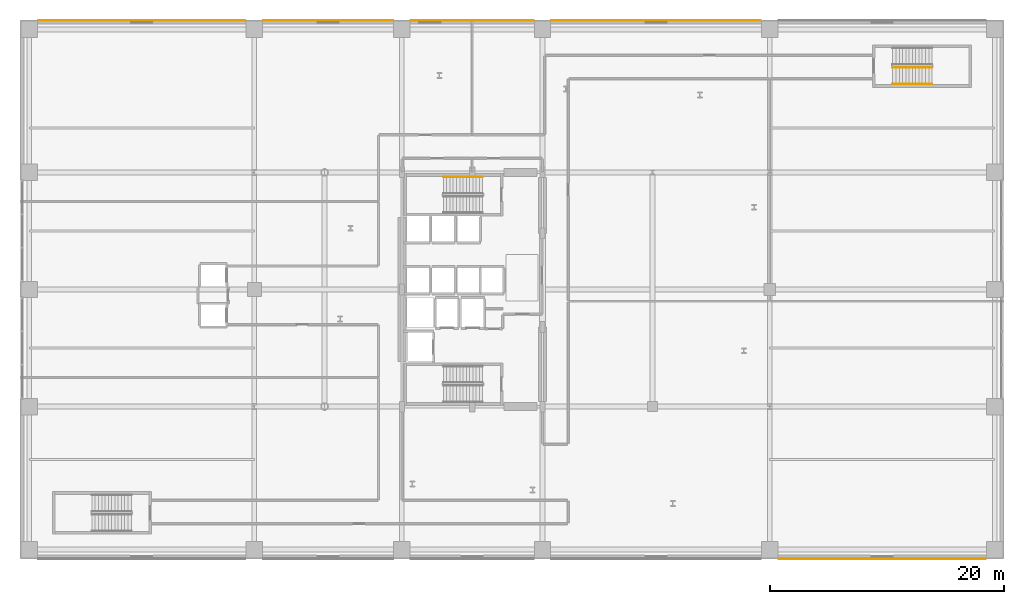
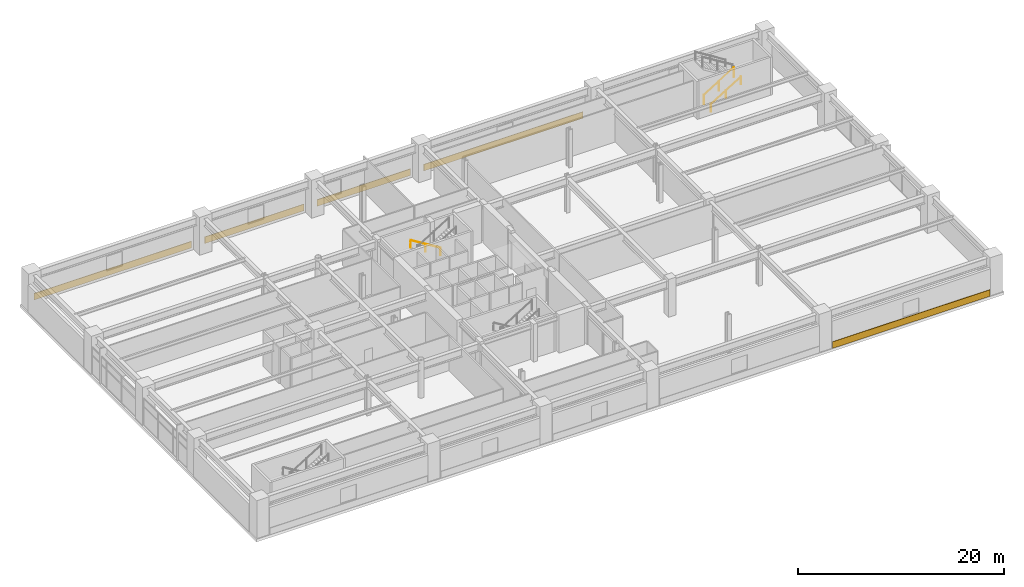
# One storey, part 27 of 28: 5 coverings, 3 railings.
"""IFC4 building model written with IfcOpenShell, lengths in metres."""

from ifc_helpers import new_model, si_unit, direction, frame, origin, origin_2d, place, context, subcontext, project, spatial, rectangle, circle, extrude, material, layer, layer_set, type_object, element, save


model = new_model("IFC4")

# Units and contexts
model_context = context("Model", 3, precision=1e-05, world=origin(), true_north=direction((0.0, 1.0)))
body_context = subcontext(model_context, "Body", "Model", "MODEL_VIEW")
ifc_project = project(units=[si_unit("LENGTHUNIT", "METRE"), si_unit("AREAUNIT", "SQUARE_METRE"), si_unit("VOLUMEUNIT", "CUBIC_METRE"), si_unit("PLANEANGLEUNIT", "RADIAN"), si_unit("MASSUNIT", "GRAM", prefix="KILO")], contexts=[model_context])

# Site, building, storey
site_placement = place(None, origin())
site = spatial("IfcSite", under=ifc_project, at=site_placement, CompositionType="ELEMENT")
building_placement = place(site_placement, origin())
building = spatial("IfcBuilding", under=site, at=building_placement, Name="Soratama Intermodal Tower", CompositionType="ELEMENT")
storey_placement = place(building_placement, frame((0.0, 0.0, 20.699951171875)))
storey = spatial("IfcBuildingStorey", under=building, at=storey_placement, Name="L04", CompositionType="ELEMENT", Elevation=20.699951171875)

# Coverings
ifc_material_1 = material(Name="Honed Andean limestone cladding", Category="masonry")
ifc_layer = layer(ifc_material_1, 0.06005859375)
ifc_layer_set = layer_set([ifc_layer], Name="Honed Andean limestone cladding")
covering_type = type_object("IfcCoveringType", Name="CV-STONE-CLAD", PredefinedType="CLADDING", material=ifc_layer_set)
covering_1_placement = place(storey_placement, frame((10.39990234375, 47.97607421875, 0.0302734375), z_axis=(0.0, 0.0, 1.0), x_axis=(1.0, 0.0, 0.0)))
element("IfcCovering", 1, at=covering_1_placement, inside=storey, type_object=covering_type, Name="L04 N Cladding B1", PredefinedType="CLADDING", context=body_context, shape_type="SweptSolid", body=[
    extrude(rectangle(XDim=17.699951171875, YDim=0.06005859375, at=origin_2d()), origin(), (0.0, 0.0, 1.0), 0.780029296875),
])
covering_2_placement = place(storey_placement, frame((26.300048828125, 47.97607421875, 0.0302734375), z_axis=(0.0, 0.0, 1.0), x_axis=(1.0, 0.0, 0.0)))
element("IfcCovering", 2, at=covering_2_placement, inside=storey, type_object=covering_type, Name="L04 N Cladding B2", PredefinedType="CLADDING", context=body_context, shape_type="SweptSolid", body=[
    extrude(rectangle(XDim=11.10009765625, YDim=0.06005859375, at=origin_2d()), origin(), (0.0, 0.0, 1.0), 0.780029296875),
])
covering_3_placement = place(storey_placement, frame((38.60009765625, 47.97607421875, 0.0302734375), z_axis=(0.0, 0.0, 1.0), x_axis=(1.0, 0.0, 0.0)))
element("IfcCovering", 3, at=covering_3_placement, inside=storey, type_object=covering_type, Name="L04 N Cladding B3", PredefinedType="CLADDING", context=body_context, shape_type="SweptSolid", body=[
    extrude(rectangle(XDim=10.5, YDim=0.06005859375, at=origin_2d()), origin(), (0.0, 0.0, 1.0), 0.780029296875),
])
covering_4_placement = place(storey_placement, frame((54.300048828125, 47.97607421875, 0.0302734375), z_axis=(0.0, 0.0, 1.0), x_axis=(1.0, 0.0, 0.0)))
element("IfcCovering", 4, at=covering_4_placement, inside=storey, type_object=covering_type, Name="L04 N Cladding B4", PredefinedType="CLADDING", context=body_context, shape_type="SweptSolid", body=[
    extrude(rectangle(XDim=17.89990234375, YDim=0.06005859375, at=origin_2d()), origin(), (0.0, 0.0, 1.0), 0.780029296875),
])
covering_5_placement = place(storey_placement, frame((73.60009765625, 2.02392578125, 0.0302734375), z_axis=(0.0, 0.0, 1.0), x_axis=(1.0, 0.0, 0.0)))
element("IfcCovering", 5, at=covering_5_placement, inside=storey, type_object=covering_type, Name="L04 S Cladding B5", PredefinedType="CLADDING", context=body_context, shape_type="SweptSolid", body=[
    extrude(rectangle(XDim=17.699951171875, YDim=0.06005859375, at=origin_2d()), origin(), (0.0, 0.0, 1.0), 0.780029296875),
])

# Railings
ifc_material_2 = material(Name="Painted steel stair guardrail", Category="steel")
railing_type_1 = type_object("IfcRailingType", Name="RL-STAIR-GUARD", PredefinedType="GUARDRAIL", material=ifc_material_2)
railing_1_placement = place(storey_placement, frame((74.5, 43.949951171875, 0.173095703125)))
element("IfcRailing", 6, at=railing_1_placement, inside=storey, type_object=railing_type_1, Name="L04 ST-4 stair guard 1", PredefinedType="GUARDRAIL", context=body_context, shape_type="SweptSolid", body=[
    extrude(circle(Radius=0.02392578125, at=origin_2d()), frame((0.0, 0.0, 1.1259765625), z_axis=(0.850623216509, 0.0, 0.525775754039), x_axis=(0.0, 1.0, 0.0)), (0.0, 0.0, 1.0), 3.9501953125),
    extrude(circle(Radius=0.02099609375, at=origin_2d()), origin(), (0.0, 0.0, 1.0), 1.101806640625),
    extrude(circle(Radius=0.02099609375, at=origin_2d()), frame((1.68017578125, 0.0, 1.03857421875)), (0.0, 0.0, 1.0), 1.101806640625),
    extrude(circle(Radius=0.02099609375, at=origin_2d()), frame((3.360107421875, 0.0, 2.076904296875)), (0.0, 0.0, 1.0), 1.101806640625),
])
ifc_material_3 = material(Name="Brushed stainless steel handrail", Category="steel")
railing_type_2 = type_object("IfcRailingType", Name="RL-STAIR-HAND", PredefinedType="HANDRAIL", material=ifc_material_3)
railing_2_placement = place(storey_placement, frame((39.5, 34.60009765625, 0.173095703125)))
element("IfcRailing", 7, at=railing_2_placement, inside=storey, type_object=railing_type_2, Name="L04 ST-2 stair handrail 1", PredefinedType="HANDRAIL", context=body_context, shape_type="SweptSolid", body=[
    extrude(circle(Radius=0.02392578125, at=origin_2d()), frame((0.0, 0.0, 0.8759765625), z_axis=(-0.850623216509, 0.0, 0.525775754039), x_axis=(0.0, -1.0, 0.0)), (0.0, 0.0, 1.0), 3.9501953125),
    extrude(circle(Radius=0.02099609375, at=origin_2d()), origin(), (0.0, 0.0, 1.0), 0.851806640625),
    extrude(circle(Radius=0.02099609375, at=origin_2d()), frame((-1.68017578125, 0.0, 1.03857421875)), (0.0, 0.0, 1.0), 0.851806640625),
    extrude(circle(Radius=0.02099609375, at=origin_2d()), frame((-3.360107421875, 0.0, 2.076904296875)), (0.0, 0.0, 1.0), 0.851806640625),
])
railing_3_placement = place(storey_placement, frame((74.5, 42.550048828125, 0.173095703125)))
element("IfcRailing", 8, at=railing_3_placement, inside=storey, type_object=railing_type_2, Name="L04 ST-4 stair handrail 1", PredefinedType="HANDRAIL", context=body_context, shape_type="SweptSolid", body=[
    extrude(circle(Radius=0.02392578125, at=origin_2d()), frame((0.0, 0.0, 0.8759765625), z_axis=(0.850623216509, 0.0, 0.525775754039), x_axis=(0.0, 1.0, 0.0)), (0.0, 0.0, 1.0), 3.9501953125),
    extrude(circle(Radius=0.02099609375, at=origin_2d()), origin(), (0.0, 0.0, 1.0), 0.851806640625),
    extrude(circle(Radius=0.02099609375, at=origin_2d()), frame((1.68017578125, 0.0, 1.03857421875)), (0.0, 0.0, 1.0), 0.851806640625),
    extrude(circle(Radius=0.02099609375, at=origin_2d()), frame((3.360107421875, 0.0, 2.076904296875)), (0.0, 0.0, 1.0), 0.851806640625),
])

save(model, "model.ifc")
